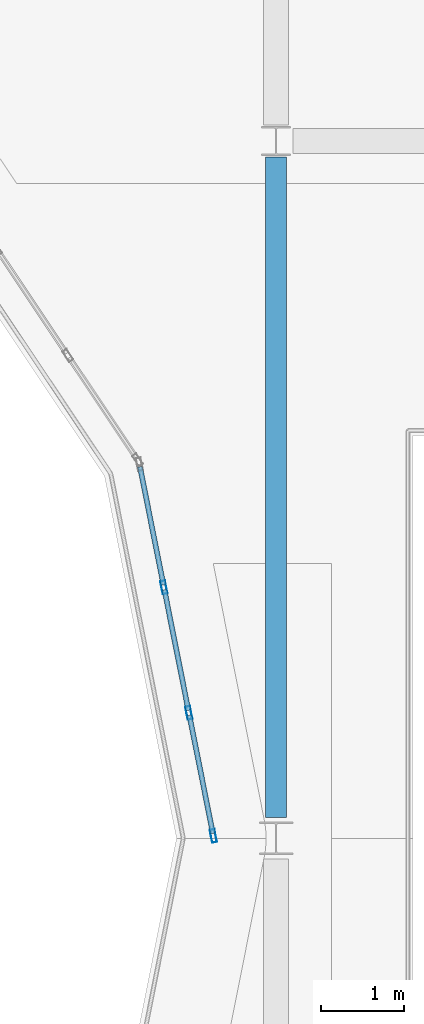
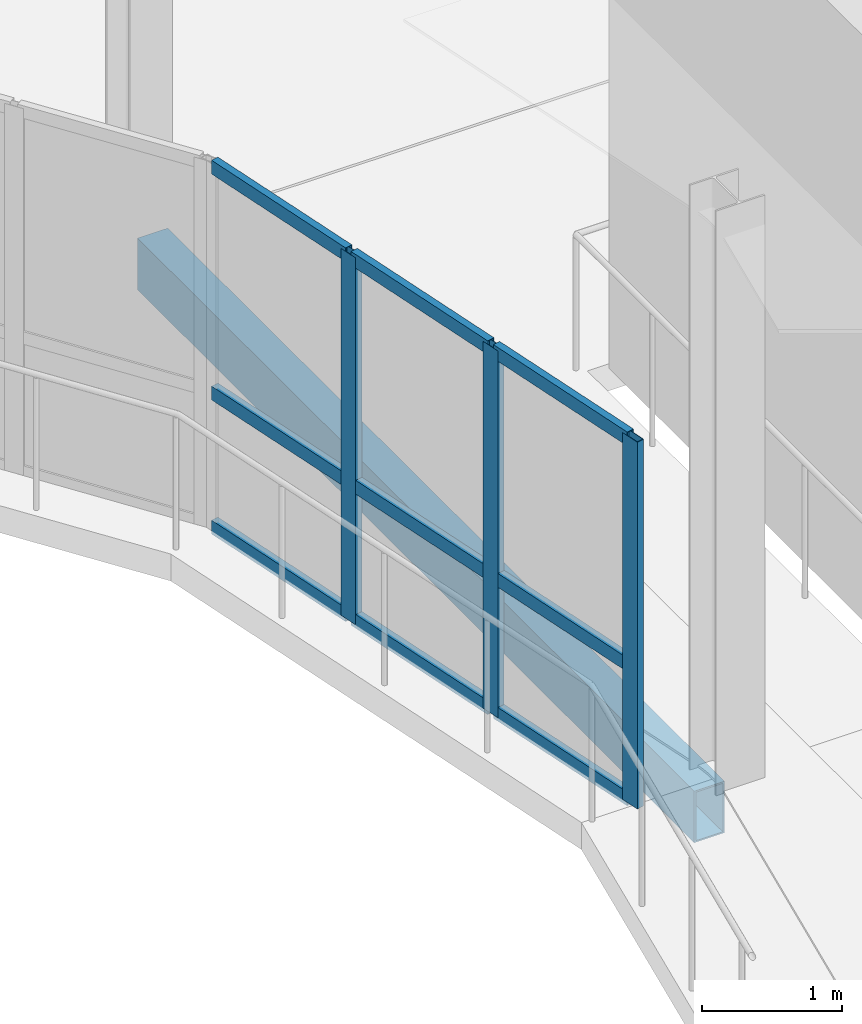
# One storey, part 20 of 103: 12 members, 1 beam, 1 element without a shape of its own.
"""IFC4 building model written with IfcOpenShell, lengths in metres."""

from ifc_helpers import new_model, si_unit, direction, frame, origin, origin_2d, place, context, subcontext, project, spatial, hollow_rectangle, extrude, material, layer, layer_set, material_profile, profile_set, type_object, element, aggregate, save


model = new_model("IFC4")

# Units and contexts
model_context = context("Model", 3, precision=1e-05, world=origin(), true_north=direction((0.0, 1.0)))
body_context = subcontext(model_context, "Body", "Model", "MODEL_VIEW")
ifc_project = project(units=[si_unit("LENGTHUNIT", "METRE"), si_unit("AREAUNIT", "SQUARE_METRE"), si_unit("VOLUMEUNIT", "CUBIC_METRE"), si_unit("PLANEANGLEUNIT", "RADIAN"), si_unit("MASSUNIT", "GRAM", prefix="KILO"), si_unit("THERMODYNAMICTEMPERATUREUNIT", "KELVIN")], contexts=[model_context])

# Site, building, storey
site_placement = place(None, origin())
site = spatial("IfcSite", under=ifc_project, at=site_placement, CompositionType="ELEMENT")
building_placement = place(site_placement, origin())
building = spatial("IfcBuilding", under=site, at=building_placement, Name="Lustrewick Department Store", CompositionType="ELEMENT")
storey_placement = place(building_placement, frame((0.0, 0.0, 16.5)))
storey = spatial("IfcBuildingStorey", under=building, at=storey_placement, Name="L04", CompositionType="ELEMENT", Elevation=16.5)

# Curtain wall, members
ifc_material_1 = material(Name="Thermally broken aluminium 6063-T5", Category="aluminium")
ifc_layer = layer(ifc_material_1, 0.159912109375, Name="Thermally broken aluminium 6063-T5")
ifc_layer_set = layer_set([ifc_layer], Name="Thermally broken aluminium 6063-T5")
curtain_wall_type = type_object("IfcCurtainWallType", Name="CW17", PredefinedType="NOTDEFINED", material=ifc_layer_set)
curtain_wall_placement = place(storey_placement, origin())
curtain_wall = element("IfcCurtainWall", 1, at=curtain_wall_placement, inside=storey, type_object=curtain_wall_type, Name="L04 Atrium Glazed Screen CW17", PredefinedType="NOTDEFINED")
ifc_material_profile_1 = material_profile(ifc_material_1, hollow_rectangle(XDim=0.06005859375, YDim=0.159912109375, WallThickness=0.00390625, at=origin_2d()), Name="ALU-M 60x160x4")
ifc_profile_set_1 = profile_set([ifc_material_profile_1], Name="Thermally broken aluminium 6063-T5")
member_type_1 = type_object("IfcMemberType", Name="CW17-M1", PredefinedType="MULLION", material=ifc_profile_set_1)
member_1_placement = place(storey_placement, frame((41.244140625, 67.2294921875, 0.0), z_axis=(0.0, 0.0, 1.0), x_axis=(-0.980786430993, -0.195084537521, 0.0)))
member_1 = element("IfcMember", 2, at=member_1_placement, type_object=member_type_1, Name="CW17 mullion 1", PredefinedType="MULLION", context=body_context, shape_type="SweptSolid", body=[
    extrude(hollow_rectangle(XDim=0.06005859375, YDim=0.159912109375, WallThickness=0.00390625, at=origin_2d()), origin(), (0.0, 0.0, 1.0), 3.199951171875),
])
member_2_placement = place(storey_placement, frame((40.94921875, 68.711669921875, 0.0), z_axis=(0.0, 0.0, 1.0), x_axis=(-0.980786430993, -0.195084537521, 0.0)))
member_2 = element("IfcMember", 3, at=member_2_placement, type_object=member_type_1, Name="CW17 mullion 2", PredefinedType="MULLION", context=body_context, shape_type="SweptSolid", body=[
    extrude(hollow_rectangle(XDim=0.06005859375, YDim=0.159912109375, WallThickness=0.00390625, at=origin_2d()), origin(), (0.0, 0.0, 1.0), 3.199951171875),
])
member_3_placement = place(storey_placement, frame((40.648681640625, 70.22314453125, 0.0), z_axis=(0.0, 0.0, 1.0), x_axis=(-0.980786430993, -0.195084537521, 0.0)))
member_3 = element("IfcMember", 4, at=member_3_placement, type_object=member_type_1, Name="CW17 mullion 3", PredefinedType="MULLION", context=body_context, shape_type="SweptSolid", body=[
    extrude(hollow_rectangle(XDim=0.06005859375, YDim=0.159912109375, WallThickness=0.00390625, at=origin_2d()), origin(), (0.0, 0.0, 1.0), 3.199951171875),
])
ifc_material_profile_2 = material_profile(ifc_material_1, hollow_rectangle(XDim=0.06005859375, YDim=0.1201171875, WallThickness=0.00341796875, at=origin_2d()), Name="ALU-T 60x120x3.5")
ifc_profile_set_2 = profile_set([ifc_material_profile_2], Name="Thermally broken aluminium 6063-T5")
member_type_2 = type_object("IfcMemberType", Name="CW17-T1", PredefinedType="USERDEFINED", material=ifc_profile_set_2)
member_4_placement = place(storey_placement, frame((41.23828125, 67.2587890625, 0.030029296875), z_axis=(-0.195145487909, 0.980774305612, 0.0), x_axis=(-0.980774305612, -0.195145487909, 0.0)))
member_4 = element("IfcMember", 5, at=member_4_placement, type_object=member_type_2, Name="CW17 transom 1.1", ObjectType="TRANSOM", PredefinedType="USERDEFINED", context=body_context, shape_type="SweptSolid", body=[
    extrude(hollow_rectangle(XDim=0.06005859375, YDim=0.1201171875, WallThickness=0.00341796875, at=origin_2d()), origin(), (0.0, 0.0, 1.0), 1.451171875),
])
member_5_placement = place(storey_placement, frame((41.23828125, 67.2587890625, 1.199951171875), z_axis=(-0.195145487909, 0.980774305612, 0.0), x_axis=(-0.980774305612, -0.195145487909, 0.0)))
member_5 = element("IfcMember", 6, at=member_5_placement, type_object=member_type_2, Name="CW17 transom 1.2", ObjectType="TRANSOM", PredefinedType="USERDEFINED", context=body_context, shape_type="SweptSolid", body=[
    extrude(hollow_rectangle(XDim=0.06005859375, YDim=0.1201171875, WallThickness=0.00341796875, at=origin_2d()), origin(), (0.0, 0.0, 1.0), 1.451171875),
])
member_6_placement = place(storey_placement, frame((41.23828125, 67.2587890625, 3.169921875), z_axis=(-0.195145487909, 0.980774305612, 0.0), x_axis=(-0.980774305612, -0.195145487909, 0.0)))
member_6 = element("IfcMember", 7, at=member_6_placement, type_object=member_type_2, Name="CW17 transom 1.3", ObjectType="TRANSOM", PredefinedType="USERDEFINED", context=body_context, shape_type="SweptSolid", body=[
    extrude(hollow_rectangle(XDim=0.06005859375, YDim=0.1201171875, WallThickness=0.00341796875, at=origin_2d()), origin(), (0.0, 0.0, 1.0), 1.451171875),
])
member_7_placement = place(storey_placement, frame((40.943359375, 68.740966796875, 0.030029296875), z_axis=(-0.194974982249, 0.980808215859, 0.0), x_axis=(-0.980808215859, -0.194974982249, 0.0)))
member_7 = element("IfcMember", 8, at=member_7_placement, type_object=member_type_2, Name="CW17 transom 2.1", ObjectType="TRANSOM", PredefinedType="USERDEFINED", context=body_context, shape_type="SweptSolid", body=[
    extrude(hollow_rectangle(XDim=0.06005859375, YDim=0.1201171875, WallThickness=0.00341796875, at=origin_2d()), origin(), (0.0, 0.0, 1.0), 1.481201171875),
])
member_8_placement = place(storey_placement, frame((40.943359375, 68.740966796875, 1.199951171875), z_axis=(-0.194974982249, 0.980808215859, 0.0), x_axis=(-0.980808215859, -0.194974982249, 0.0)))
member_8 = element("IfcMember", 9, at=member_8_placement, type_object=member_type_2, Name="CW17 transom 2.2", ObjectType="TRANSOM", PredefinedType="USERDEFINED", context=body_context, shape_type="SweptSolid", body=[
    extrude(hollow_rectangle(XDim=0.06005859375, YDim=0.1201171875, WallThickness=0.00341796875, at=origin_2d()), origin(), (0.0, 0.0, 1.0), 1.481201171875),
])
member_9_placement = place(storey_placement, frame((40.943359375, 68.740966796875, 3.169921875), z_axis=(-0.194974982249, 0.980808215859, 0.0), x_axis=(-0.980808215859, -0.194974982249, 0.0)))
member_9 = element("IfcMember", 10, at=member_9_placement, type_object=member_type_2, Name="CW17 transom 2.3", ObjectType="TRANSOM", PredefinedType="USERDEFINED", context=body_context, shape_type="SweptSolid", body=[
    extrude(hollow_rectangle(XDim=0.06005859375, YDim=0.1201171875, WallThickness=0.00341796875, at=origin_2d()), origin(), (0.0, 0.0, 1.0), 1.481201171875),
])
member_10_placement = place(storey_placement, frame((40.642822265625, 70.252685546875, 0.030029296875), z_axis=(-0.195145487909, 0.980774305612, 0.0), x_axis=(-0.980774305612, -0.195145487909, 0.0)))
member_10 = element("IfcMember", 11, at=member_10_placement, type_object=member_type_2, Name="CW17 transom 3.1", ObjectType="TRANSOM", PredefinedType="USERDEFINED", context=body_context, shape_type="SweptSolid", body=[
    extrude(hollow_rectangle(XDim=0.06005859375, YDim=0.1201171875, WallThickness=0.00341796875, at=origin_2d()), origin(), (0.0, 0.0, 1.0), 1.451171875),
])
member_11_placement = place(storey_placement, frame((40.642822265625, 70.252685546875, 1.199951171875), z_axis=(-0.195145487909, 0.980774305612, 0.0), x_axis=(-0.980774305612, -0.195145487909, 0.0)))
member_11 = element("IfcMember", 12, at=member_11_placement, type_object=member_type_2, Name="CW17 transom 3.2", ObjectType="TRANSOM", PredefinedType="USERDEFINED", context=body_context, shape_type="SweptSolid", body=[
    extrude(hollow_rectangle(XDim=0.06005859375, YDim=0.1201171875, WallThickness=0.00341796875, at=origin_2d()), origin(), (0.0, 0.0, 1.0), 1.451171875),
])
member_12_placement = place(storey_placement, frame((40.642822265625, 70.252685546875, 3.169921875), z_axis=(-0.195145487909, 0.980774305612, 0.0), x_axis=(-0.980774305612, -0.195145487909, 0.0)))
member_12 = element("IfcMember", 13, at=member_12_placement, type_object=member_type_2, Name="CW17 transom 3.3", ObjectType="TRANSOM", PredefinedType="USERDEFINED", context=body_context, shape_type="SweptSolid", body=[
    extrude(hollow_rectangle(XDim=0.06005859375, YDim=0.1201171875, WallThickness=0.00341796875, at=origin_2d()), origin(), (0.0, 0.0, 1.0), 1.451171875),
])
aggregate(curtain_wall, [member_1, member_2, member_3, member_4, member_5, member_6, member_7, member_8, member_9, member_10, member_11, member_12])

# Beam
ifc_material_2 = material(Name="Structural steel Q355C", Category="steel")
ifc_material_profile_3 = material_profile(ifc_material_2, hollow_rectangle(XDim=0.25, YDim=0.449951171875, WallThickness=0.013916015625, at=origin_2d()), Name="RHS 450x250x14")
ifc_profile_set_3 = profile_set([ifc_material_profile_3], Name="Structural steel Q355C")
beam_type = type_object("IfcBeamType", Name="G18", PredefinedType="BEAM", material=ifc_profile_set_3)
beam_placement = place(storey_placement, frame((42.0, 67.449951171875, -0.47998046875), z_axis=(0.0, 1.0, 0.0), x_axis=(-1.0, 0.0, 0.0)))
element("IfcBeam", 14, at=beam_placement, inside=storey, type_object=beam_type, Name="L04 V1 Girder G18", PredefinedType="BEAM", context=body_context, shape_type="SweptSolid", body=[
    extrude(hollow_rectangle(XDim=0.25, YDim=0.449951171875, WallThickness=0.013916015625, at=origin_2d()), origin(), (0.0, 0.0, 1.0), 7.9560546875),
])

save(model, "model.ifc")
